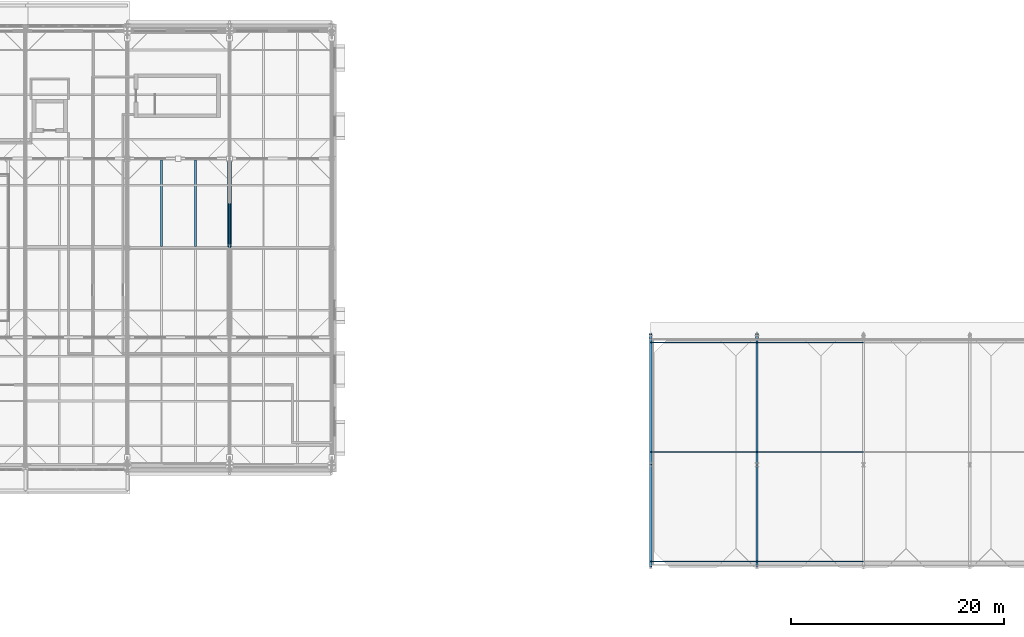
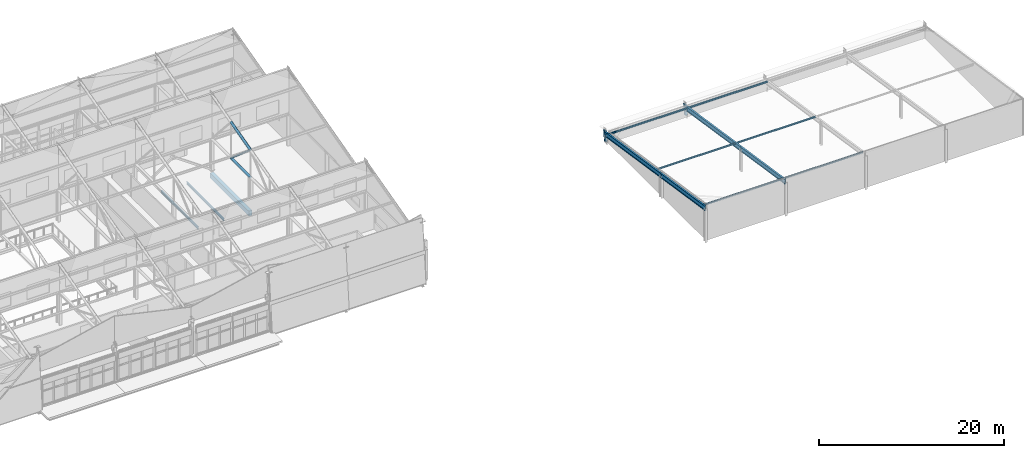
# One storey, part 51 of 89: 11 members, 7 beams.
"""IFC4 building model written with IfcOpenShell, lengths in metres."""

from ifc_helpers import new_model, si_unit, direction, frame, origin, origin_2d, place, context, subcontext, project, spatial, rectangle, hollow_circle, i_section, extrude, material, material_profile, profile_set, type_object, element, save


model = new_model("IFC4")

# Units and contexts
model_context = context("Model", 3, precision=1e-05, world=origin(), true_north=direction((0.0, 1.0)))
body_context = subcontext(model_context, "Body", "Model", "MODEL_VIEW")
ifc_project = project(units=[si_unit("LENGTHUNIT", "METRE"), si_unit("AREAUNIT", "SQUARE_METRE"), si_unit("VOLUMEUNIT", "CUBIC_METRE"), si_unit("PLANEANGLEUNIT", "RADIAN"), si_unit("MASSUNIT", "GRAM", prefix="KILO")], contexts=[model_context])

# Site, building, storey
site_placement = place(None, origin())
site = spatial("IfcSite", under=ifc_project, at=site_placement, CompositionType="ELEMENT")
building_placement = place(site_placement, origin())
building = spatial("IfcBuilding", under=site, at=building_placement, Name="Zereglee Splitstone Museum", CompositionType="ELEMENT")
storey_placement = place(building_placement, frame((0.0, 0.0, 21.300048828125)))
storey = spatial("IfcBuildingStorey", under=building, at=storey_placement, Name="L04", CompositionType="ELEMENT", Elevation=21.300048828125)

# Beam
ifc_material_1 = material(Name="Concrete C40/50", Category="concrete")
ifc_material_profile_1 = material_profile(ifc_material_1, rectangle(XDim=0.39990234375, YDim=0.64990234375, at=origin_2d()), Name="RC 400x650")
ifc_profile_set_1 = profile_set([ifc_material_profile_1], Name="Concrete C40/50")
beam_type_1 = type_object("IfcBeamType", Name="BG-04", PredefinedType="BEAM", material=ifc_profile_set_1)
beam_1_placement = place(storey_placement, frame((135.60009765625, 30.0, -0.5849609375), z_axis=(0.0, 1.0, 0.0), x_axis=(-1.0, 0.0, 0.0)))
element("IfcBeam", 1, at=beam_1_placement, inside=storey, type_object=beam_type_1, Name="Primary Girder L04 16 (30.0-38.4)", PredefinedType="BEAM", context=body_context, shape_type="SweptSolid", body=[
    extrude(rectangle(XDim=0.39990234375, YDim=0.64990234375, at=origin_2d()), origin(), (0.0, 0.0, 1.0), 8.39990234375),
])

# Members
ifc_material_2 = material(Name="Steel S355J2H", Category="steel")
ifc_material_profile_2 = material_profile(ifc_material_2, hollow_circle(Radius=0.109619140625, WallThickness=0.010009765625, at=origin_2d()), Name="CHS 219.1x10")
ifc_profile_set_2 = profile_set([ifc_material_profile_2], Name="Steel S355J2H")
member_type_1 = type_object("IfcMemberType", Name="TB-03", PredefinedType="BRACE", material=ifc_profile_set_2)
member_1_placement = place(storey_placement, frame((135.60009765625, 34.199951171875, 4.199951171875), z_axis=(0.0, -0.759244140748, 0.650805911728), x_axis=(1.0, 0.0, 0.0)))
element("IfcMember", 2, at=member_1_placement, inside=storey, type_object=member_type_1, Name="Roof Truss ST-07 Diagonal 2.3", PredefinedType="BRACE", context=body_context, shape_type="SweptSolid", body=[
    extrude(hollow_circle(Radius=0.109619140625, WallThickness=0.010009765625, at=origin_2d()), origin(), (0.0, 0.0, 1.0), 5.53173828125),
])
ifc_material_profile_3 = material_profile(ifc_material_2, hollow_circle(Radius=0.161865234375, WallThickness=0.01611328125, at=origin_2d()), Name="CHS 323.9x16")
ifc_profile_set_3 = profile_set([ifc_material_profile_3], Name="Steel S355J2H")
member_type_2 = type_object("IfcMemberType", Name="TC-05", PredefinedType="CHORD", material=ifc_profile_set_3)
member_2_placement = place(storey_placement, frame((135.60009765625, 30.0, 4.199951171875), z_axis=(0.0, 1.0, 0.0), x_axis=(-1.0, 0.0, 0.0)))
element("IfcMember", 3, at=member_2_placement, inside=storey, type_object=member_type_2, Name="Roof Truss ST-07 Bottom Chord 2.3", PredefinedType="CHORD", context=body_context, shape_type="SweptSolid", body=[
    extrude(hollow_circle(Radius=0.161865234375, WallThickness=0.01611328125, at=origin_2d()), origin(), (0.0, 0.0, 1.0), 4.199951171875),
])
member_3_placement = place(storey_placement, frame((135.60009765625, 30.0, 7.800048828125), z_axis=(0.0, 0.965947299715, 0.258738891884), x_axis=(-1.0, 0.0, 0.0)))
element("IfcMember", 4, at=member_3_placement, inside=storey, type_object=member_type_2, Name="Roof Truss ST-07 Top Chord 2.3", PredefinedType="CHORD", context=body_context, shape_type="SweptSolid", body=[
    extrude(hollow_circle(Radius=0.161865234375, WallThickness=0.01611328125, at=origin_2d()), origin(), (0.0, 0.0, 1.0), 4.347900390625),
])

# Beams
ifc_material_3 = material(Name="Steel S355J2", Category="steel")
ifc_material_profile_4 = material_profile(ifc_material_3, i_section(OverallWidth=0.14990234375, OverallDepth=0.300048828125, WebThickness=0.007080078125, FlangeThickness=0.0107421875, FilletRadius=0.014892578125, at=origin_2d()), Name="IPE 300")
ifc_profile_set_4 = profile_set([ifc_material_profile_4], Name="Steel S355J2")
beam_type_2 = type_object("IfcBeamType", Name="BJ-06", PredefinedType="JOIST", material=ifc_profile_set_4)
beam_2_placement = place(storey_placement, frame((132.39990234375, 30.14990234375, -0.41015625), z_axis=(0.0, 1.0, 0.0), x_axis=(-1.0, 0.0, 0.0)))
element("IfcBeam", 5, at=beam_2_placement, inside=storey, type_object=beam_type_2, Name="Secondary Floor Joist L04-1545", PredefinedType="JOIST", context=body_context, shape_type="SweptSolid", body=[
    extrude(i_section(OverallWidth=0.14990234375, OverallDepth=0.300048828125, WebThickness=0.007080078125, FlangeThickness=0.0107421875, FilletRadius=0.014892578125, at=origin_2d()), origin(), (0.0, 0.0, 1.0), 8.10009765625),
])
ifc_material_profile_5 = material_profile(ifc_material_3, i_section(OverallWidth=0.159912109375, OverallDepth=0.330078125, WebThickness=0.007568359375, FlangeThickness=0.011474609375, FilletRadius=0.01806640625, at=origin_2d()), Name="IPE 330")
ifc_profile_set_5 = profile_set([ifc_material_profile_5], Name="Steel S355J2")
beam_type_3 = type_object("IfcBeamType", Name="BJ-05", PredefinedType="JOIST", material=ifc_profile_set_5)
beam_3_placement = place(storey_placement, frame((129.199951171875, 30.14990234375, -0.425048828125), z_axis=(0.0, 1.0, 0.0), x_axis=(-1.0, 0.0, 0.0)))
element("IfcBeam", 6, at=beam_3_placement, inside=storey, type_object=beam_type_3, Name="Secondary Floor Joist L04-1544", PredefinedType="JOIST", context=body_context, shape_type="SweptSolid", body=[
    extrude(i_section(OverallWidth=0.159912109375, OverallDepth=0.330078125, WebThickness=0.007568359375, FlangeThickness=0.011474609375, FilletRadius=0.01806640625, at=origin_2d()), origin(), (0.0, 0.0, 1.0), 8.10009765625),
])

# Members
ifc_material_profile_6 = material_profile(ifc_material_3, i_section(OverallWidth=0.110107421875, OverallDepth=0.219970703125, WebThickness=0.005859375, FlangeThickness=0.00927734375, FilletRadius=0.011962890625, at=origin_2d()), Name="IPE 220")
ifc_profile_set_6 = profile_set([ifc_material_profile_6], Name="Steel S355J2")
member_type_3 = type_object("IfcMemberType", Name="PR-04", PredefinedType="PURLIN", material=ifc_profile_set_6)
for number, where, z_axis, x_axis, name in (
    (7, (175.199951171875, 0.5, 4.53564453125), (1.0, 0.0, 0.0), (0.0, 1.0, 0.0), "Roof Purlin RF-V3 (175.2-185.2)"),
    (8, (175.199951171875, 10.800048828125, 2.962158203125), (1.0, 0.0, 0.0), (0.0, 1.0, 0.0), "Roof Purlin RF-V3 (175.2-185.2)"),
    (9, (175.199951171875, 21.10009765625, 1.388427734375), (1.0, 0.0, 0.0), (0.0, 1.0, 0.0), "Roof Purlin RF-V3 (175.2-185.2)"),
    (10, (185.199951171875, 0.5, 4.53564453125), (1.0, 0.0, 0.0), (0.0, 1.0, 0.0), "Roof Purlin RF-V3 (185.2-195.2)"),
    (11, (185.199951171875, 10.800048828125, 2.962158203125), (1.0, 0.0, 0.0), (0.0, 1.0, 0.0), "Roof Purlin RF-V3 (185.2-195.2)"),
    (12, (185.199951171875, 21.10009765625, 1.388427734375), (1.0, 0.0, 0.0), (0.0, 1.0, 0.0), "Roof Purlin RF-V3 (185.2-195.2)"),
):
    element("IfcMember", number, at=place(storey_placement, frame(where, z_axis=z_axis, x_axis=x_axis)), inside=storey, type_object=member_type_3, Name=name, PredefinedType="PURLIN", context=body_context, shape_type="SweptSolid", body=[
        extrude(i_section(OverallWidth=0.110107421875, OverallDepth=0.219970703125, WebThickness=0.005859375, FlangeThickness=0.00927734375, FilletRadius=0.011962890625, at=origin_2d()), origin(), (0.0, 0.0, 1.0), 10.0),
    ])

# Beams
ifc_material_profile_7 = material_profile(ifc_material_3, i_section(OverallWidth=0.219970703125, OverallDepth=0.60009765625, WebThickness=0.011962890625, FlangeThickness=0.01904296875, FilletRadius=0.02392578125, at=origin_2d()), Name="IPE 600")
ifc_profile_set_7 = profile_set([ifc_material_profile_7], Name="Steel S355J2")
beam_type_4 = type_object("IfcBeamType", Name="RR-01", PredefinedType="BEAM", material=ifc_profile_set_7)
beam_4_placement = place(storey_placement, frame((175.199951171875, 0.0, 4.423828125), z_axis=(0.0, 0.988531863411, -0.151012433333), x_axis=(-1.0, 0.0, 0.0)))
element("IfcBeam", 13, at=beam_4_placement, inside=storey, type_object=beam_type_4, Name="Sloped Roof Girder RF-V3 X=175.2 (0.0-9.6)", PredefinedType="BEAM", context=body_context, shape_type="SweptSolid", body=[
    extrude(i_section(OverallWidth=0.219970703125, OverallDepth=0.60009765625, WebThickness=0.011962890625, FlangeThickness=0.01904296875, FilletRadius=0.02392578125, at=origin_2d()), origin(), (0.0, 0.0, 1.0), 9.71142578125),
])
beam_5_placement = place(storey_placement, frame((175.199951171875, 9.60009765625, 2.957275390625), z_axis=(0.0, 0.988530883497, -0.151018847741), x_axis=(-1.0, 0.0, 0.0)))
element("IfcBeam", 14, at=beam_5_placement, inside=storey, type_object=beam_type_4, Name="Sloped Roof Girder RF-V3 X=175.2 (9.6-21.6)", PredefinedType="BEAM", context=body_context, shape_type="SweptSolid", body=[
    extrude(i_section(OverallWidth=0.219970703125, OverallDepth=0.60009765625, WebThickness=0.011962890625, FlangeThickness=0.01904296875, FilletRadius=0.02392578125, at=origin_2d()), origin(), (0.0, 0.0, 1.0), 12.13916015625),
])
beam_6_placement = place(storey_placement, frame((185.199951171875, 0.0, 4.423828125), z_axis=(0.0, 0.988531863411, -0.151012433333), x_axis=(-1.0, 0.0, 0.0)))
element("IfcBeam", 15, at=beam_6_placement, inside=storey, type_object=beam_type_4, Name="Sloped Roof Girder RF-V3 X=185.2 (0.0-9.6)", PredefinedType="BEAM", context=body_context, shape_type="SweptSolid", body=[
    extrude(i_section(OverallWidth=0.219970703125, OverallDepth=0.60009765625, WebThickness=0.011962890625, FlangeThickness=0.01904296875, FilletRadius=0.02392578125, at=origin_2d()), origin(), (0.0, 0.0, 1.0), 9.71142578125),
])
beam_7_placement = place(storey_placement, frame((185.199951171875, 9.60009765625, 2.957275390625), z_axis=(0.0, 0.988530883497, -0.151018847741), x_axis=(-1.0, 0.0, 0.0)))
element("IfcBeam", 16, at=beam_7_placement, inside=storey, type_object=beam_type_4, Name="Sloped Roof Girder RF-V3 X=185.2 (9.6-21.6)", PredefinedType="BEAM", context=body_context, shape_type="SweptSolid", body=[
    extrude(i_section(OverallWidth=0.219970703125, OverallDepth=0.60009765625, WebThickness=0.011962890625, FlangeThickness=0.01904296875, FilletRadius=0.02392578125, at=origin_2d()), origin(), (0.0, 0.0, 1.0), 12.13916015625),
])

# Members
ifc_material_4 = material(Name="Steel S355J2 architectural chhajja corbel", Category="steel")
ifc_material_profile_8 = material_profile(ifc_material_4, i_section(OverallWidth=0.280029296875, OverallDepth=0.280029296875, WebThickness=0.010498046875, FlangeThickness=0.01806640625, FilletRadius=0.02392578125, at=origin_2d()), Name="HE 280 B")
ifc_profile_set_8 = profile_set([ifc_material_profile_8], Name="Steel S355J2 architectural chhajja corbel")
member_type_4 = type_object("IfcMemberType", Name="FS-C1", PredefinedType="STRUT", material=ifc_profile_set_8)
for number, where, z_axis, x_axis, name in (
    (17, (175.199951171875, 21.60009765625, 0.14990234375), (0.0, 0.139419151054, 0.990233457483), (-1.0, 0.0, 0.0), "Mughal Chhajja Corbel Bracket RF-V3 X=175.2"),
    (18, (185.199951171875, 21.60009765625, 0.14990234375), (0.0, 0.139419151054, 0.990233457483), (-1.0, 0.0, 0.0), "Mughal Chhajja Corbel Bracket RF-V3 X=185.2"),
):
    element("IfcMember", number, at=place(storey_placement, frame(where, z_axis=z_axis, x_axis=x_axis)), inside=storey, type_object=member_type_4, Name=name, PredefinedType="STRUT", context=body_context, shape_type="SweptSolid", body=[
        extrude(i_section(OverallWidth=0.280029296875, OverallDepth=0.280029296875, WebThickness=0.010498046875, FlangeThickness=0.01806640625, FilletRadius=0.02392578125, at=origin_2d()), origin(), (0.0, 0.0, 1.0), 1.43408203125),
    ])

save(model, "model.ifc")
